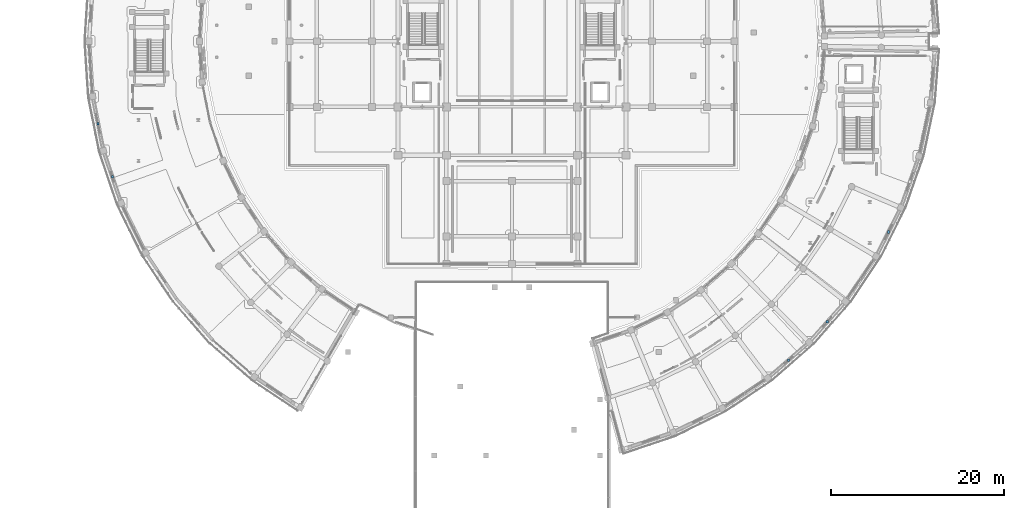
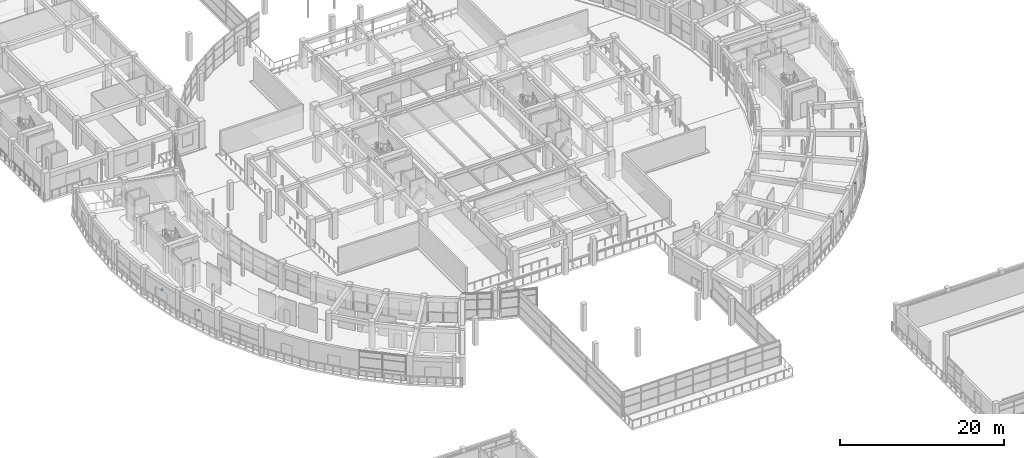
# One storey, part 67 of 87: 5 discrete accessories.
"""IFC4 building model written with IfcOpenShell, lengths in metres."""

from ifc_helpers import new_model, si_unit, direction, frame, origin, origin_2d, place, context, subcontext, project, spatial, rectangle, extrude, material, type_object, element, save


model = new_model("IFC4")

# Units and contexts
model_context = context("Model", 3, precision=1e-05, world=origin(), true_north=direction((0.0, 1.0)))
body_context = subcontext(model_context, "Body", "Model", "MODEL_VIEW")
ifc_project = project(units=[si_unit("LENGTHUNIT", "METRE"), si_unit("AREAUNIT", "SQUARE_METRE"), si_unit("VOLUMEUNIT", "CUBIC_METRE"), si_unit("PLANEANGLEUNIT", "RADIAN"), si_unit("MASSUNIT", "GRAM", prefix="KILO")], contexts=[model_context])

# Site, building, storey
site_placement = place(None, origin())
site = spatial("IfcSite", under=ifc_project, at=site_placement, CompositionType="ELEMENT")
building_placement = place(site_placement, origin())
building = spatial("IfcBuilding", under=site, at=building_placement, Name="Saryqyr Civic Hall", CompositionType="ELEMENT")
storey_placement = place(building_placement, frame((0.0, 0.0, 5.10009765625)))
storey = spatial("IfcBuildingStorey", under=building, at=storey_placement, Name="L01", CompositionType="ELEMENT", Elevation=5.10009765625)

# Discrete accessories
ifc_material = material(Name="Painted galvanized steel", Category="steel")
discrete_accessory_type = type_object("IfcDiscreteAccessoryType", Name="ENV-BRK-FIN", PredefinedType="BRACKET", material=ifc_material)
for number, where, z_axis, x_axis, name in (
    (1, (9.04443359375, 74.461181640625, 2.16015625), (0.0, 0.0, 1.0), (1.0, 0.0, 0.0), "Solar fin steel bracket V4-L01-03"),
    (2, (10.69970703125, 68.283203125, 2.31005859375), (0.0, 0.0, 1.0), (1.0, 0.0, 0.0), "Solar fin steel bracket V4-L01-04"),
    (3, (89.026611328125, 47.05029296875, 2.4599609375), (0.0, 0.0, 1.0), (1.0, 0.0, 0.0), "Solar fin steel bracket V5-L01-03"),
    (4, (93.521728515625, 51.486083984375, 2.4599609375), (0.0, 0.0, 1.0), (1.0, 0.0, 0.0), "Solar fin steel bracket V5-L01-04"),
    (5, (100.619384765625, 61.90185546875, 2.4599609375), (0.0, 0.0, 1.0), (1.0, 0.0, 0.0), "Solar fin steel bracket V5-L01-06"),
):
    element("IfcDiscreteAccessory", number, at=place(storey_placement, frame(where, z_axis=z_axis, x_axis=x_axis)), inside=storey, type_object=discrete_accessory_type, Name=name, PredefinedType="BRACKET", context=body_context, shape_type="SweptSolid", body=[
        extrude(rectangle(XDim=0.239990234375, YDim=0.300048828125, at=origin_2d()), origin(), (0.0, 0.0, 1.0), 0.159912109375),
    ])

save(model, "model.ifc")
